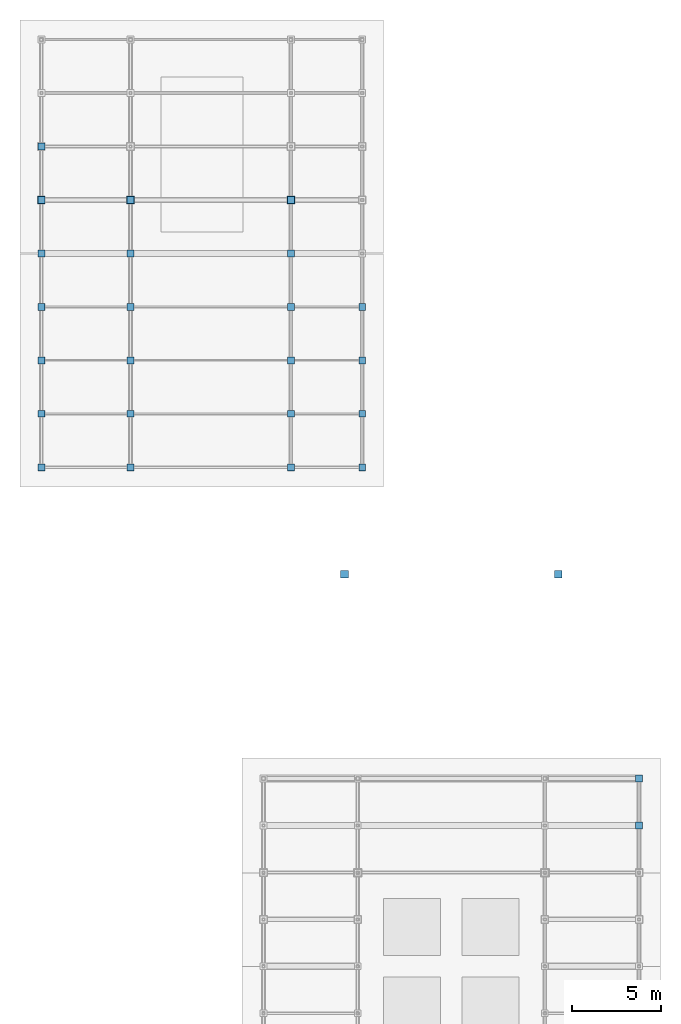
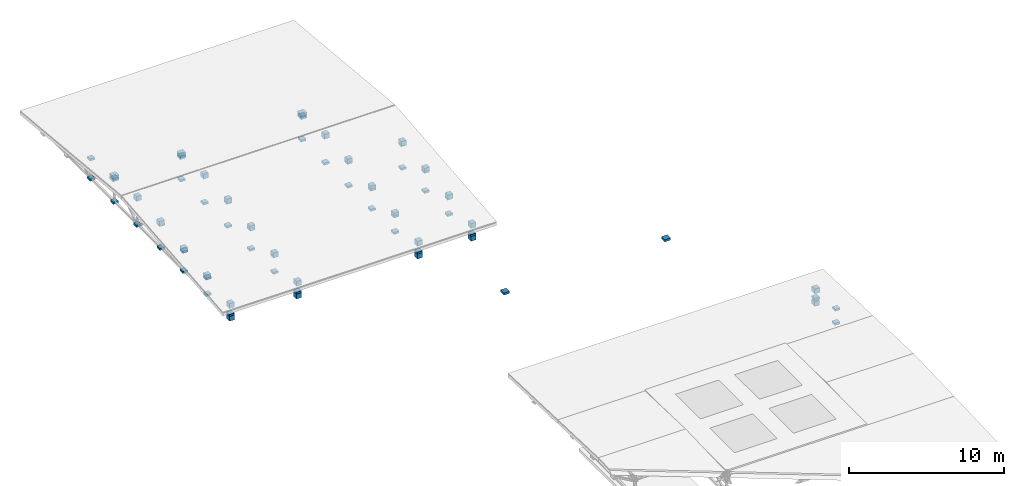
# One storey, part 23 of 25: 72 discrete accessories.
"""IFC4 building model written with IfcOpenShell, lengths in metres."""

from ifc_helpers import new_model, si_unit, direction, frame, origin, place, context, subcontext, project, spatial, polyline, outline, extrude, material, type_object, element, save


model = new_model("IFC4")

# Units and contexts
model_context = context("Model", 3, precision=1e-05, world=origin(), true_north=direction((0.0, 1.0)))
body_context = subcontext(model_context, "Body", "Model", "MODEL_VIEW")
ifc_project = project(units=[si_unit("LENGTHUNIT", "METRE"), si_unit("AREAUNIT", "SQUARE_METRE"), si_unit("VOLUMEUNIT", "CUBIC_METRE"), si_unit("PLANEANGLEUNIT", "RADIAN"), si_unit("MASSUNIT", "GRAM", prefix="KILO"), si_unit("THERMODYNAMICTEMPERATUREUNIT", "KELVIN"), si_unit("POWERUNIT", "WATT")], contexts=[model_context])

# Site, building, storey
site_placement = place(None, origin())
site = spatial("IfcSite", under=ifc_project, at=site_placement, CompositionType="ELEMENT")
building_placement = place(site_placement, origin())
building = spatial("IfcBuilding", under=site, at=building_placement, Name="Zelmaris Science Centre", CompositionType="ELEMENT")
storey_placement = place(building_placement, frame((0.0, 0.0, 30.0)))
storey = spatial("IfcBuildingStorey", under=building, at=storey_placement, Name="RF", CompositionType="ELEMENT", Elevation=30.0)

# Discrete accessories
ifc_material = material(Name="Steel ASTM A500 Grade C", Category="steel")
discrete_accessory_type = type_object("IfcDiscreteAccessoryType", Name="Hollow Section End Cap Plate BK-ECP", PredefinedType="BRACKET", material=ifc_material)
discrete_accessory_1_placement = place(storey_placement, frame((0.0, 0.0, -0.072998046875)))
element("IfcDiscreteAccessory", 1, at=discrete_accessory_1_placement, inside=storey, type_object=discrete_accessory_type, Name="End cap plate 48", PredefinedType="BRACKET", context=body_context, shape_type="SweptSolid", body=[
    extrude(outline(polyline([(74.78076171875, 57.78076171875), (75.21923828125, 57.78076171875), (75.21923828125, 58.21923828125), (74.78076171875, 58.21923828125), (74.78076171875, 57.78076171875)])), origin(), (0.0, 0.0, 1.0), 0.157958984375),
])
discrete_accessory_2_placement = place(storey_placement, frame((0.0, 0.0, -0.072998046875)))
element("IfcDiscreteAccessory", 2, at=discrete_accessory_2_placement, inside=storey, type_object=discrete_accessory_type, Name="End cap plate 56", PredefinedType="BRACKET", context=body_context, shape_type="SweptSolid", body=[
    extrude(outline(polyline([(86.78076171875, 57.78076171875), (87.21923828125, 57.78076171875), (87.21923828125, 58.21923828125), (86.78076171875, 58.21923828125), (86.78076171875, 57.78076171875)])), origin(), (0.0, 0.0, 1.0), 0.157958984375),
])
discrete_accessory_3_placement = place(storey_placement, frame((0.0, 0.0, 0.158203125)))
element("IfcDiscreteAccessory", 3, at=discrete_accessory_3_placement, inside=storey, type_object=discrete_accessory_type, Name="End cap plate 327", PredefinedType="BRACKET", context=body_context, shape_type="SweptSolid", body=[
    extrude(outline(polyline([(57.81103515625, 63.804931640625), (58.18896484375, 63.804931640625), (58.18896484375, 64.18310546875), (57.81103515625, 64.18310546875), (57.81103515625, 63.804931640625)])), origin(), (0.0, 0.0, 1.0), 0.378173828125),
])
discrete_accessory_4_placement = place(storey_placement, frame((0.0, 0.0, 1.156005859375)))
element("IfcDiscreteAccessory", 4, at=discrete_accessory_4_placement, inside=storey, type_object=discrete_accessory_type, Name="End cap plate 329", PredefinedType="BRACKET", context=body_context, shape_type="SweptSolid", body=[
    extrude(outline(polyline([(57.80908203125, 63.80322265625), (58.19091796875, 63.80322265625), (58.19091796875, 64.184814453125), (57.80908203125, 64.184814453125), (57.80908203125, 63.80322265625)])), origin(), (0.0, 0.0, 1.0), 0.381591796875),
])
discrete_accessory_5_placement = place(storey_placement, frame((0.0, 0.0, 2.30712890625)))
element("IfcDiscreteAccessory", 5, at=discrete_accessory_5_placement, inside=storey, type_object=discrete_accessory_type, Name="End cap plate 330", PredefinedType="BRACKET", context=body_context, shape_type="SweptSolid", body=[
    extrude(outline(polyline([(57.80908203125, 75.815185546875), (58.19091796875, 75.815185546875), (58.19091796875, 76.19677734375), (57.80908203125, 76.19677734375), (57.80908203125, 75.815185546875)])), origin(), (0.0, 0.0, 1.0), 0.381591796875),
])
discrete_accessory_6_placement = place(storey_placement, frame((0.0, 0.0, 0.26220703125)))
element("IfcDiscreteAccessory", 6, at=discrete_accessory_6_placement, inside=storey, type_object=discrete_accessory_type, Name="End cap plate 332", PredefinedType="BRACKET", context=body_context, shape_type="SweptSolid", body=[
    extrude(outline(polyline([(57.81103515625, 66.81103515625), (58.18896484375, 66.81103515625), (58.18896484375, 67.18896484375), (57.81103515625, 67.18896484375), (57.81103515625, 66.81103515625)])), origin(), (0.0, 0.0, 1.0), 0.158203125),
])
discrete_accessory_7_placement = place(storey_placement, frame((0.0, 0.0, 1.561767578125)))
element("IfcDiscreteAccessory", 7, at=discrete_accessory_7_placement, inside=storey, type_object=discrete_accessory_type, Name="End cap plate 333", PredefinedType="BRACKET", context=body_context, shape_type="SweptSolid", body=[
    extrude(outline(polyline([(57.81103515625, 66.81103515625), (58.18896484375, 66.81103515625), (58.18896484375, 67.18896484375), (57.81103515625, 67.18896484375), (57.81103515625, 66.81103515625)])), origin(), (0.0, 0.0, 1.0), 0.157958984375),
])
discrete_accessory_8_placement = place(storey_placement, frame((0.0, 0.0, 0.26220703125)))
element("IfcDiscreteAccessory", 8, at=discrete_accessory_8_placement, inside=storey, type_object=discrete_accessory_type, Name="End cap plate 334", PredefinedType="BRACKET", context=body_context, shape_type="SweptSolid", body=[
    extrude(outline(polyline([(57.81103515625, 69.81103515625), (58.18896484375, 69.81103515625), (58.18896484375, 70.18896484375), (57.81103515625, 70.18896484375), (57.81103515625, 69.81103515625)])), origin(), (0.0, 0.0, 1.0), 0.158203125),
])
discrete_accessory_9_placement = place(storey_placement, frame((0.0, 0.0, 1.849365234375)))
element("IfcDiscreteAccessory", 9, at=discrete_accessory_9_placement, inside=storey, type_object=discrete_accessory_type, Name="End cap plate 335", PredefinedType="BRACKET", context=body_context, shape_type="SweptSolid", body=[
    extrude(outline(polyline([(57.81103515625, 69.81103515625), (58.18896484375, 69.81103515625), (58.18896484375, 70.18896484375), (57.81103515625, 70.18896484375), (57.81103515625, 69.81103515625)])), origin(), (0.0, 0.0, 1.0), 0.157958984375),
])
for number, where, name in (
    (10, (0.0, 0.0, 0.26220703125), "End cap plate 336"),
    (11, (0.0, 0.0, 2.13671875), "End cap plate 337"),
):
    element("IfcDiscreteAccessory", number, at=place(storey_placement, frame(where)), inside=storey, type_object=discrete_accessory_type, Name=name, PredefinedType="BRACKET", context=body_context, shape_type="SweptSolid", body=[
        extrude(outline(polyline([(57.81103515625, 72.81103515625), (58.18896484375, 72.81103515625), (58.18896484375, 73.18896484375), (57.81103515625, 73.18896484375), (57.81103515625, 72.81103515625)])), origin(), (0.0, 0.0, 1.0), 0.158203125),
    ])
discrete_accessory_10_placement = place(storey_placement, frame((0.0, 0.0, 0.26220703125)))
element("IfcDiscreteAccessory", 12, at=discrete_accessory_10_placement, inside=storey, type_object=discrete_accessory_type, Name="End cap plate 338", PredefinedType="BRACKET", context=body_context, shape_type="SweptSolid", body=[
    extrude(outline(polyline([(57.81103515625, 75.81103515625), (58.18896484375, 75.81103515625), (58.18896484375, 76.18896484375), (57.81103515625, 76.18896484375), (57.81103515625, 75.81103515625)])), origin(), (0.0, 0.0, 1.0), 0.158203125),
])
for number, where, name in (
    (13, (0.0, 0.0, 0.26220703125), "End cap plate 339"),
    (14, (0.0, 0.0, 2.13671875), "End cap plate 340"),
):
    element("IfcDiscreteAccessory", number, at=place(storey_placement, frame(where)), inside=storey, type_object=discrete_accessory_type, Name=name, PredefinedType="BRACKET", context=body_context, shape_type="SweptSolid", body=[
        extrude(outline(polyline([(57.81103515625, 78.81103515625), (58.18896484375, 78.81103515625), (58.18896484375, 79.18896484375), (57.81103515625, 79.18896484375), (57.81103515625, 78.81103515625)])), origin(), (0.0, 0.0, 1.0), 0.158203125),
    ])
discrete_accessory_11_placement = place(storey_placement, frame((0.0, 0.0, 0.26220703125)))
element("IfcDiscreteAccessory", 15, at=discrete_accessory_11_placement, inside=storey, type_object=discrete_accessory_type, Name="End cap plate 341", PredefinedType="BRACKET", context=body_context, shape_type="SweptSolid", body=[
    extrude(outline(polyline([(57.81103515625, 81.81103515625), (58.18896484375, 81.81103515625), (58.18896484375, 82.18896484375), (57.81103515625, 82.18896484375), (57.81103515625, 81.81103515625)])), origin(), (0.0, 0.0, 1.0), 0.158203125),
])
discrete_accessory_12_placement = place(storey_placement, frame((0.0, 0.0, 1.849365234375)))
element("IfcDiscreteAccessory", 16, at=discrete_accessory_12_placement, inside=storey, type_object=discrete_accessory_type, Name="End cap plate 342", PredefinedType="BRACKET", context=body_context, shape_type="SweptSolid", body=[
    extrude(outline(polyline([(57.81103515625, 81.81103515625), (58.18896484375, 81.81103515625), (58.18896484375, 82.18896484375), (57.81103515625, 82.18896484375), (57.81103515625, 81.81103515625)])), origin(), (0.0, 0.0, 1.0), 0.157958984375),
])
discrete_accessory_13_placement = place(storey_placement, frame((0.0, 0.0, 0.514892578125)))
element("IfcDiscreteAccessory", 17, at=discrete_accessory_13_placement, inside=storey, type_object=discrete_accessory_type, Name="End cap plate 345", PredefinedType="BRACKET", context=body_context, shape_type="SweptSolid", body=[
    extrude(outline(polyline([(57.80908203125, 63.80908203125), (58.19091796875, 63.80908203125), (58.19091796875, 64.19091796875), (57.80908203125, 64.19091796875), (57.80908203125, 63.80908203125)])), origin(), (0.0, 0.0, 1.0), 0.158203125),
])
discrete_accessory_14_placement = place(storey_placement, frame((0.0, 0.0, 0.158203125)))
element("IfcDiscreteAccessory", 18, at=discrete_accessory_14_placement, inside=storey, type_object=discrete_accessory_type, Name="End cap plate 347", PredefinedType="BRACKET", context=body_context, shape_type="SweptSolid", body=[
    extrude(outline(polyline([(62.81103515625, 63.804931640625), (63.18896484375, 63.804931640625), (63.18896484375, 64.18310546875), (62.81103515625, 64.18310546875), (62.81103515625, 63.804931640625)])), origin(), (0.0, 0.0, 1.0), 0.378173828125),
])
discrete_accessory_15_placement = place(storey_placement, frame((0.0, 0.0, 1.156005859375)))
element("IfcDiscreteAccessory", 19, at=discrete_accessory_15_placement, inside=storey, type_object=discrete_accessory_type, Name="End cap plate 349", PredefinedType="BRACKET", context=body_context, shape_type="SweptSolid", body=[
    extrude(outline(polyline([(62.80908203125, 63.80322265625), (63.19091796875, 63.80322265625), (63.19091796875, 64.184814453125), (62.80908203125, 64.184814453125), (62.80908203125, 63.80322265625)])), origin(), (0.0, 0.0, 1.0), 0.381591796875),
])
discrete_accessory_16_placement = place(storey_placement, frame((0.0, 0.0, 2.30712890625)))
element("IfcDiscreteAccessory", 20, at=discrete_accessory_16_placement, inside=storey, type_object=discrete_accessory_type, Name="End cap plate 350", PredefinedType="BRACKET", context=body_context, shape_type="SweptSolid", body=[
    extrude(outline(polyline([(62.80908203125, 75.815185546875), (63.19091796875, 75.815185546875), (63.19091796875, 76.19677734375), (62.80908203125, 76.19677734375), (62.80908203125, 75.815185546875)])), origin(), (0.0, 0.0, 1.0), 0.381591796875),
])
discrete_accessory_17_placement = place(storey_placement, frame((0.0, 0.0, 0.26220703125)))
element("IfcDiscreteAccessory", 21, at=discrete_accessory_17_placement, inside=storey, type_object=discrete_accessory_type, Name="End cap plate 352", PredefinedType="BRACKET", context=body_context, shape_type="SweptSolid", body=[
    extrude(outline(polyline([(62.81103515625, 66.81103515625), (63.18896484375, 66.81103515625), (63.18896484375, 67.18896484375), (62.81103515625, 67.18896484375), (62.81103515625, 66.81103515625)])), origin(), (0.0, 0.0, 1.0), 0.158203125),
])
discrete_accessory_18_placement = place(storey_placement, frame((0.0, 0.0, 1.561767578125)))
element("IfcDiscreteAccessory", 22, at=discrete_accessory_18_placement, inside=storey, type_object=discrete_accessory_type, Name="End cap plate 353", PredefinedType="BRACKET", context=body_context, shape_type="SweptSolid", body=[
    extrude(outline(polyline([(62.81103515625, 66.81103515625), (63.18896484375, 66.81103515625), (63.18896484375, 67.18896484375), (62.81103515625, 67.18896484375), (62.81103515625, 66.81103515625)])), origin(), (0.0, 0.0, 1.0), 0.157958984375),
])
discrete_accessory_19_placement = place(storey_placement, frame((0.0, 0.0, 0.26220703125)))
element("IfcDiscreteAccessory", 23, at=discrete_accessory_19_placement, inside=storey, type_object=discrete_accessory_type, Name="End cap plate 354", PredefinedType="BRACKET", context=body_context, shape_type="SweptSolid", body=[
    extrude(outline(polyline([(62.81103515625, 69.81103515625), (63.18896484375, 69.81103515625), (63.18896484375, 70.18896484375), (62.81103515625, 70.18896484375), (62.81103515625, 69.81103515625)])), origin(), (0.0, 0.0, 1.0), 0.158203125),
])
discrete_accessory_20_placement = place(storey_placement, frame((0.0, 0.0, 1.849365234375)))
element("IfcDiscreteAccessory", 24, at=discrete_accessory_20_placement, inside=storey, type_object=discrete_accessory_type, Name="End cap plate 355", PredefinedType="BRACKET", context=body_context, shape_type="SweptSolid", body=[
    extrude(outline(polyline([(62.81103515625, 69.81103515625), (63.18896484375, 69.81103515625), (63.18896484375, 70.18896484375), (62.81103515625, 70.18896484375), (62.81103515625, 69.81103515625)])), origin(), (0.0, 0.0, 1.0), 0.157958984375),
])
for number, where, name in (
    (25, (0.0, 0.0, 0.26220703125), "End cap plate 356"),
    (26, (0.0, 0.0, 2.13671875), "End cap plate 357"),
):
    element("IfcDiscreteAccessory", number, at=place(storey_placement, frame(where)), inside=storey, type_object=discrete_accessory_type, Name=name, PredefinedType="BRACKET", context=body_context, shape_type="SweptSolid", body=[
        extrude(outline(polyline([(62.81103515625, 72.81103515625), (63.18896484375, 72.81103515625), (63.18896484375, 73.18896484375), (62.81103515625, 73.18896484375), (62.81103515625, 72.81103515625)])), origin(), (0.0, 0.0, 1.0), 0.158203125),
    ])
discrete_accessory_21_placement = place(storey_placement, frame((0.0, 0.0, 0.26220703125)))
element("IfcDiscreteAccessory", 27, at=discrete_accessory_21_placement, inside=storey, type_object=discrete_accessory_type, Name="End cap plate 358", PredefinedType="BRACKET", context=body_context, shape_type="SweptSolid", body=[
    extrude(outline(polyline([(62.81103515625, 75.81103515625), (63.18896484375, 75.81103515625), (63.18896484375, 76.18896484375), (62.81103515625, 76.18896484375), (62.81103515625, 75.81103515625)])), origin(), (0.0, 0.0, 1.0), 0.158203125),
])
for number, where, name in (
    (28, (0.0, 0.0, 0.26220703125), "End cap plate 359"),
    (29, (0.0, 0.0, 2.13671875), "End cap plate 360"),
):
    element("IfcDiscreteAccessory", number, at=place(storey_placement, frame(where)), inside=storey, type_object=discrete_accessory_type, Name=name, PredefinedType="BRACKET", context=body_context, shape_type="SweptSolid", body=[
        extrude(outline(polyline([(62.81103515625, 78.81103515625), (63.18896484375, 78.81103515625), (63.18896484375, 79.18896484375), (62.81103515625, 79.18896484375), (62.81103515625, 78.81103515625)])), origin(), (0.0, 0.0, 1.0), 0.158203125),
    ])
discrete_accessory_22_placement = place(storey_placement, frame((0.0, 0.0, 0.514892578125)))
element("IfcDiscreteAccessory", 30, at=discrete_accessory_22_placement, inside=storey, type_object=discrete_accessory_type, Name="End cap plate 365", PredefinedType="BRACKET", context=body_context, shape_type="SweptSolid", body=[
    extrude(outline(polyline([(62.80908203125, 63.80908203125), (63.19091796875, 63.80908203125), (63.19091796875, 64.19091796875), (62.80908203125, 64.19091796875), (62.80908203125, 63.80908203125)])), origin(), (0.0, 0.0, 1.0), 0.158203125),
])
discrete_accessory_23_placement = place(storey_placement, frame((0.0, 0.0, 0.158203125)))
element("IfcDiscreteAccessory", 31, at=discrete_accessory_23_placement, inside=storey, type_object=discrete_accessory_type, Name="End cap plate 367", PredefinedType="BRACKET", context=body_context, shape_type="SweptSolid", body=[
    extrude(outline(polyline([(71.81103515625, 63.804931640625), (72.18896484375, 63.804931640625), (72.18896484375, 64.18310546875), (71.81103515625, 64.18310546875), (71.81103515625, 63.804931640625)])), origin(), (0.0, 0.0, 1.0), 0.378173828125),
])
discrete_accessory_24_placement = place(storey_placement, frame((0.0, 0.0, 1.156005859375)))
element("IfcDiscreteAccessory", 32, at=discrete_accessory_24_placement, inside=storey, type_object=discrete_accessory_type, Name="End cap plate 369", PredefinedType="BRACKET", context=body_context, shape_type="SweptSolid", body=[
    extrude(outline(polyline([(71.80908203125, 63.80322265625), (72.19091796875, 63.80322265625), (72.19091796875, 64.184814453125), (71.80908203125, 64.184814453125), (71.80908203125, 63.80322265625)])), origin(), (0.0, 0.0, 1.0), 0.381591796875),
])
discrete_accessory_25_placement = place(storey_placement, frame((0.0, 0.0, 2.30712890625)))
element("IfcDiscreteAccessory", 33, at=discrete_accessory_25_placement, inside=storey, type_object=discrete_accessory_type, Name="End cap plate 370", PredefinedType="BRACKET", context=body_context, shape_type="SweptSolid", body=[
    extrude(outline(polyline([(71.80908203125, 75.815185546875), (72.19091796875, 75.815185546875), (72.19091796875, 76.19677734375), (71.80908203125, 76.19677734375), (71.80908203125, 75.815185546875)])), origin(), (0.0, 0.0, 1.0), 0.381591796875),
])
discrete_accessory_26_placement = place(storey_placement, frame((0.0, 0.0, 0.26220703125)))
element("IfcDiscreteAccessory", 34, at=discrete_accessory_26_placement, inside=storey, type_object=discrete_accessory_type, Name="End cap plate 372", PredefinedType="BRACKET", context=body_context, shape_type="SweptSolid", body=[
    extrude(outline(polyline([(71.81103515625, 66.81103515625), (72.18896484375, 66.81103515625), (72.18896484375, 67.18896484375), (71.81103515625, 67.18896484375), (71.81103515625, 66.81103515625)])), origin(), (0.0, 0.0, 1.0), 0.158203125),
])
discrete_accessory_27_placement = place(storey_placement, frame((0.0, 0.0, 1.561767578125)))
element("IfcDiscreteAccessory", 35, at=discrete_accessory_27_placement, inside=storey, type_object=discrete_accessory_type, Name="End cap plate 373", PredefinedType="BRACKET", context=body_context, shape_type="SweptSolid", body=[
    extrude(outline(polyline([(71.81103515625, 66.81103515625), (72.18896484375, 66.81103515625), (72.18896484375, 67.18896484375), (71.81103515625, 67.18896484375), (71.81103515625, 66.81103515625)])), origin(), (0.0, 0.0, 1.0), 0.157958984375),
])
discrete_accessory_28_placement = place(storey_placement, frame((0.0, 0.0, 0.26220703125)))
element("IfcDiscreteAccessory", 36, at=discrete_accessory_28_placement, inside=storey, type_object=discrete_accessory_type, Name="End cap plate 374", PredefinedType="BRACKET", context=body_context, shape_type="SweptSolid", body=[
    extrude(outline(polyline([(71.81103515625, 69.81103515625), (72.18896484375, 69.81103515625), (72.18896484375, 70.18896484375), (71.81103515625, 70.18896484375), (71.81103515625, 69.81103515625)])), origin(), (0.0, 0.0, 1.0), 0.158203125),
])
discrete_accessory_29_placement = place(storey_placement, frame((0.0, 0.0, 1.849365234375)))
element("IfcDiscreteAccessory", 37, at=discrete_accessory_29_placement, inside=storey, type_object=discrete_accessory_type, Name="End cap plate 375", PredefinedType="BRACKET", context=body_context, shape_type="SweptSolid", body=[
    extrude(outline(polyline([(71.81103515625, 69.81103515625), (72.18896484375, 69.81103515625), (72.18896484375, 70.18896484375), (71.81103515625, 70.18896484375), (71.81103515625, 69.81103515625)])), origin(), (0.0, 0.0, 1.0), 0.157958984375),
])
for number, where, name in (
    (38, (0.0, 0.0, 0.26220703125), "End cap plate 376"),
    (39, (0.0, 0.0, 2.13671875), "End cap plate 377"),
):
    element("IfcDiscreteAccessory", number, at=place(storey_placement, frame(where)), inside=storey, type_object=discrete_accessory_type, Name=name, PredefinedType="BRACKET", context=body_context, shape_type="SweptSolid", body=[
        extrude(outline(polyline([(71.81103515625, 72.81103515625), (72.18896484375, 72.81103515625), (72.18896484375, 73.18896484375), (71.81103515625, 73.18896484375), (71.81103515625, 72.81103515625)])), origin(), (0.0, 0.0, 1.0), 0.158203125),
    ])
discrete_accessory_30_placement = place(storey_placement, frame((0.0, 0.0, 0.26220703125)))
element("IfcDiscreteAccessory", 40, at=discrete_accessory_30_placement, inside=storey, type_object=discrete_accessory_type, Name="End cap plate 378", PredefinedType="BRACKET", context=body_context, shape_type="SweptSolid", body=[
    extrude(outline(polyline([(71.81103515625, 75.81103515625), (72.18896484375, 75.81103515625), (72.18896484375, 76.18896484375), (71.81103515625, 76.18896484375), (71.81103515625, 75.81103515625)])), origin(), (0.0, 0.0, 1.0), 0.158203125),
])
for number, where, name in (
    (41, (0.0, 0.0, 0.26220703125), "End cap plate 379"),
    (42, (0.0, 0.0, 2.13671875), "End cap plate 380"),
):
    element("IfcDiscreteAccessory", number, at=place(storey_placement, frame(where)), inside=storey, type_object=discrete_accessory_type, Name=name, PredefinedType="BRACKET", context=body_context, shape_type="SweptSolid", body=[
        extrude(outline(polyline([(71.81103515625, 78.81103515625), (72.18896484375, 78.81103515625), (72.18896484375, 79.18896484375), (71.81103515625, 79.18896484375), (71.81103515625, 78.81103515625)])), origin(), (0.0, 0.0, 1.0), 0.158203125),
    ])
discrete_accessory_31_placement = place(storey_placement, frame((0.0, 0.0, 0.514892578125)))
element("IfcDiscreteAccessory", 43, at=discrete_accessory_31_placement, inside=storey, type_object=discrete_accessory_type, Name="End cap plate 385", PredefinedType="BRACKET", context=body_context, shape_type="SweptSolid", body=[
    extrude(outline(polyline([(71.80908203125, 63.80908203125), (72.19091796875, 63.80908203125), (72.19091796875, 64.19091796875), (71.80908203125, 64.19091796875), (71.80908203125, 63.80908203125)])), origin(), (0.0, 0.0, 1.0), 0.158203125),
])
discrete_accessory_32_placement = place(storey_placement, frame((0.0, 0.0, 0.158203125)))
element("IfcDiscreteAccessory", 44, at=discrete_accessory_32_placement, inside=storey, type_object=discrete_accessory_type, Name="End cap plate 387", PredefinedType="BRACKET", context=body_context, shape_type="SweptSolid", body=[
    extrude(outline(polyline([(75.81103515625, 63.804931640625), (76.18896484375, 63.804931640625), (76.18896484375, 64.18310546875), (75.81103515625, 64.18310546875), (75.81103515625, 63.804931640625)])), origin(), (0.0, 0.0, 1.0), 0.378173828125),
])
discrete_accessory_33_placement = place(storey_placement, frame((0.0, 0.0, 1.156005859375)))
element("IfcDiscreteAccessory", 45, at=discrete_accessory_33_placement, inside=storey, type_object=discrete_accessory_type, Name="End cap plate 389", PredefinedType="BRACKET", context=body_context, shape_type="SweptSolid", body=[
    extrude(outline(polyline([(75.80908203125, 63.80322265625), (76.19091796875, 63.80322265625), (76.19091796875, 64.184814453125), (75.80908203125, 64.184814453125), (75.80908203125, 63.80322265625)])), origin(), (0.0, 0.0, 1.0), 0.381591796875),
])
discrete_accessory_34_placement = place(storey_placement, frame((0.0, 0.0, 0.26220703125)))
element("IfcDiscreteAccessory", 46, at=discrete_accessory_34_placement, inside=storey, type_object=discrete_accessory_type, Name="End cap plate 392", PredefinedType="BRACKET", context=body_context, shape_type="SweptSolid", body=[
    extrude(outline(polyline([(75.81103515625, 66.81103515625), (76.18896484375, 66.81103515625), (76.18896484375, 67.18896484375), (75.81103515625, 67.18896484375), (75.81103515625, 66.81103515625)])), origin(), (0.0, 0.0, 1.0), 0.158203125),
])
discrete_accessory_35_placement = place(storey_placement, frame((0.0, 0.0, 1.561767578125)))
element("IfcDiscreteAccessory", 47, at=discrete_accessory_35_placement, inside=storey, type_object=discrete_accessory_type, Name="End cap plate 393", PredefinedType="BRACKET", context=body_context, shape_type="SweptSolid", body=[
    extrude(outline(polyline([(75.81103515625, 66.81103515625), (76.18896484375, 66.81103515625), (76.18896484375, 67.18896484375), (75.81103515625, 67.18896484375), (75.81103515625, 66.81103515625)])), origin(), (0.0, 0.0, 1.0), 0.157958984375),
])
discrete_accessory_36_placement = place(storey_placement, frame((0.0, 0.0, 0.26220703125)))
element("IfcDiscreteAccessory", 48, at=discrete_accessory_36_placement, inside=storey, type_object=discrete_accessory_type, Name="End cap plate 394", PredefinedType="BRACKET", context=body_context, shape_type="SweptSolid", body=[
    extrude(outline(polyline([(75.81103515625, 69.81103515625), (76.18896484375, 69.81103515625), (76.18896484375, 70.18896484375), (75.81103515625, 70.18896484375), (75.81103515625, 69.81103515625)])), origin(), (0.0, 0.0, 1.0), 0.158203125),
])
discrete_accessory_37_placement = place(storey_placement, frame((0.0, 0.0, 1.849365234375)))
element("IfcDiscreteAccessory", 49, at=discrete_accessory_37_placement, inside=storey, type_object=discrete_accessory_type, Name="End cap plate 395", PredefinedType="BRACKET", context=body_context, shape_type="SweptSolid", body=[
    extrude(outline(polyline([(75.81103515625, 69.81103515625), (76.18896484375, 69.81103515625), (76.18896484375, 70.18896484375), (75.81103515625, 70.18896484375), (75.81103515625, 69.81103515625)])), origin(), (0.0, 0.0, 1.0), 0.157958984375),
])
for number, where, name in (
    (50, (0.0, 0.0, 0.26220703125), "End cap plate 396"),
    (51, (0.0, 0.0, 2.13671875), "End cap plate 397"),
):
    element("IfcDiscreteAccessory", number, at=place(storey_placement, frame(where)), inside=storey, type_object=discrete_accessory_type, Name=name, PredefinedType="BRACKET", context=body_context, shape_type="SweptSolid", body=[
        extrude(outline(polyline([(75.81103515625, 72.81103515625), (76.18896484375, 72.81103515625), (76.18896484375, 73.18896484375), (75.81103515625, 73.18896484375), (75.81103515625, 72.81103515625)])), origin(), (0.0, 0.0, 1.0), 0.158203125),
    ])
discrete_accessory_38_placement = place(storey_placement, frame((0.0, 0.0, 0.514892578125)))
element("IfcDiscreteAccessory", 52, at=discrete_accessory_38_placement, inside=storey, type_object=discrete_accessory_type, Name="End cap plate 405", PredefinedType="BRACKET", context=body_context, shape_type="SweptSolid", body=[
    extrude(outline(polyline([(75.80908203125, 63.80908203125), (76.19091796875, 63.80908203125), (76.19091796875, 64.19091796875), (75.80908203125, 64.19091796875), (75.80908203125, 63.80908203125)])), origin(), (0.0, 0.0, 1.0), 0.158203125),
])
discrete_accessory_39_placement = place(storey_placement, frame((0.0, 0.0, 1.566162109375)))
element("IfcDiscreteAccessory", 53, at=discrete_accessory_39_placement, inside=storey, type_object=discrete_accessory_type, Name="End cap plate 407", PredefinedType="BRACKET", context=body_context, shape_type="SweptSolid", body=[
    extrude(outline(polyline([(57.804931640625, 66.81103515625), (58.18310546875, 66.81103515625), (58.18310546875, 67.18896484375), (57.804931640625, 67.18896484375), (57.804931640625, 66.81103515625)])), origin(), (0.0, 0.0, 1.0), 0.3779296875),
])
discrete_accessory_40_placement = place(storey_placement, frame((0.0, 0.0, 1.566162109375)))
element("IfcDiscreteAccessory", 54, at=discrete_accessory_40_placement, inside=storey, type_object=discrete_accessory_type, Name="End cap plate 408", PredefinedType="BRACKET", context=body_context, shape_type="SweptSolid", body=[
    extrude(outline(polyline([(62.81689453125, 66.81103515625), (63.195068359375, 66.81103515625), (63.195068359375, 67.18896484375), (62.81689453125, 67.18896484375), (62.81689453125, 66.81103515625)])), origin(), (0.0, 0.0, 1.0), 0.3779296875),
])
discrete_accessory_41_placement = place(storey_placement, frame((0.0, 0.0, 1.866455078125)))
element("IfcDiscreteAccessory", 55, at=discrete_accessory_41_placement, inside=storey, type_object=discrete_accessory_type, Name="End cap plate 409", PredefinedType="BRACKET", context=body_context, shape_type="SweptSolid", body=[
    extrude(outline(polyline([(57.804931640625, 69.81103515625), (58.18310546875, 69.81103515625), (58.18310546875, 70.18896484375), (57.804931640625, 70.18896484375), (57.804931640625, 69.81103515625)])), origin(), (0.0, 0.0, 1.0), 0.3779296875),
])
discrete_accessory_42_placement = place(storey_placement, frame((0.0, 0.0, 1.866455078125)))
element("IfcDiscreteAccessory", 56, at=discrete_accessory_42_placement, inside=storey, type_object=discrete_accessory_type, Name="End cap plate 410", PredefinedType="BRACKET", context=body_context, shape_type="SweptSolid", body=[
    extrude(outline(polyline([(62.81689453125, 69.81103515625), (63.195068359375, 69.81103515625), (63.195068359375, 70.18896484375), (62.81689453125, 70.18896484375), (62.81689453125, 69.81103515625)])), origin(), (0.0, 0.0, 1.0), 0.3779296875),
])
discrete_accessory_43_placement = place(storey_placement, frame((0.0, 0.0, 2.16650390625)))
element("IfcDiscreteAccessory", 57, at=discrete_accessory_43_placement, inside=storey, type_object=discrete_accessory_type, Name="End cap plate 411", PredefinedType="BRACKET", context=body_context, shape_type="SweptSolid", body=[
    extrude(outline(polyline([(57.804931640625, 72.81103515625), (58.18310546875, 72.81103515625), (58.18310546875, 73.18896484375), (57.804931640625, 73.18896484375), (57.804931640625, 72.81103515625)])), origin(), (0.0, 0.0, 1.0), 0.378173828125),
])
discrete_accessory_44_placement = place(storey_placement, frame((0.0, 0.0, 2.16650390625)))
element("IfcDiscreteAccessory", 58, at=discrete_accessory_44_placement, inside=storey, type_object=discrete_accessory_type, Name="End cap plate 412", PredefinedType="BRACKET", context=body_context, shape_type="SweptSolid", body=[
    extrude(outline(polyline([(62.81689453125, 72.81103515625), (63.195068359375, 72.81103515625), (63.195068359375, 73.18896484375), (62.81689453125, 73.18896484375), (62.81689453125, 72.81103515625)])), origin(), (0.0, 0.0, 1.0), 0.378173828125),
])
discrete_accessory_45_placement = place(storey_placement, frame((0.0, 0.0, 2.060302734375)))
element("IfcDiscreteAccessory", 59, at=discrete_accessory_45_placement, inside=storey, type_object=discrete_accessory_type, Name="End cap plate 413", PredefinedType="BRACKET", context=body_context, shape_type="SweptSolid", body=[
    extrude(outline(polyline([(57.77490234375, 78.78076171875), (58.213134765625, 78.78076171875), (58.213134765625, 79.21923828125), (57.77490234375, 79.21923828125), (57.77490234375, 78.78076171875)])), origin(), (0.0, 0.0, 1.0), 0.438232421875),
])
discrete_accessory_46_placement = place(storey_placement, frame((0.0, 0.0, 2.060302734375)))
element("IfcDiscreteAccessory", 60, at=discrete_accessory_46_placement, inside=storey, type_object=discrete_accessory_type, Name="End cap plate 414", PredefinedType="BRACKET", context=body_context, shape_type="SweptSolid", body=[
    extrude(outline(polyline([(62.786865234375, 78.78076171875), (63.22509765625, 78.78076171875), (63.22509765625, 79.21923828125), (62.786865234375, 79.21923828125), (62.786865234375, 78.78076171875)])), origin(), (0.0, 0.0, 1.0), 0.438232421875),
])
discrete_accessory_47_placement = place(storey_placement, frame((0.0, 0.0, 1.566162109375)))
element("IfcDiscreteAccessory", 61, at=discrete_accessory_47_placement, inside=storey, type_object=discrete_accessory_type, Name="End cap plate 419", PredefinedType="BRACKET", context=body_context, shape_type="SweptSolid", body=[
    extrude(outline(polyline([(71.81689453125, 66.81103515625), (72.195068359375, 66.81103515625), (72.195068359375, 67.18896484375), (71.81689453125, 67.18896484375), (71.81689453125, 66.81103515625)])), origin(), (0.0, 0.0, 1.0), 0.3779296875),
])
discrete_accessory_48_placement = place(storey_placement, frame((0.0, 0.0, 1.866455078125)))
element("IfcDiscreteAccessory", 62, at=discrete_accessory_48_placement, inside=storey, type_object=discrete_accessory_type, Name="End cap plate 420", PredefinedType="BRACKET", context=body_context, shape_type="SweptSolid", body=[
    extrude(outline(polyline([(71.81689453125, 69.81103515625), (72.195068359375, 69.81103515625), (72.195068359375, 70.18896484375), (71.81689453125, 70.18896484375), (71.81689453125, 69.81103515625)])), origin(), (0.0, 0.0, 1.0), 0.3779296875),
])
discrete_accessory_49_placement = place(storey_placement, frame((0.0, 0.0, 2.16650390625)))
element("IfcDiscreteAccessory", 63, at=discrete_accessory_49_placement, inside=storey, type_object=discrete_accessory_type, Name="End cap plate 421", PredefinedType="BRACKET", context=body_context, shape_type="SweptSolid", body=[
    extrude(outline(polyline([(71.81689453125, 72.81103515625), (72.195068359375, 72.81103515625), (72.195068359375, 73.18896484375), (71.81689453125, 73.18896484375), (71.81689453125, 72.81103515625)])), origin(), (0.0, 0.0, 1.0), 0.378173828125),
])
discrete_accessory_50_placement = place(storey_placement, frame((0.0, 0.0, 2.060302734375)))
element("IfcDiscreteAccessory", 64, at=discrete_accessory_50_placement, inside=storey, type_object=discrete_accessory_type, Name="End cap plate 422", PredefinedType="BRACKET", context=body_context, shape_type="SweptSolid", body=[
    extrude(outline(polyline([(71.786865234375, 78.78076171875), (72.22509765625, 78.78076171875), (72.22509765625, 79.21923828125), (71.786865234375, 79.21923828125), (71.786865234375, 78.78076171875)])), origin(), (0.0, 0.0, 1.0), 0.438232421875),
])
discrete_accessory_51_placement = place(storey_placement, frame((0.0, 0.0, 1.566162109375)))
element("IfcDiscreteAccessory", 65, at=discrete_accessory_51_placement, inside=storey, type_object=discrete_accessory_type, Name="End cap plate 425", PredefinedType="BRACKET", context=body_context, shape_type="SweptSolid", body=[
    extrude(outline(polyline([(75.81689453125, 66.81103515625), (76.195068359375, 66.81103515625), (76.195068359375, 67.18896484375), (75.81689453125, 67.18896484375), (75.81689453125, 66.81103515625)])), origin(), (0.0, 0.0, 1.0), 0.3779296875),
])
discrete_accessory_52_placement = place(storey_placement, frame((0.0, 0.0, 1.866455078125)))
element("IfcDiscreteAccessory", 66, at=discrete_accessory_52_placement, inside=storey, type_object=discrete_accessory_type, Name="End cap plate 426", PredefinedType="BRACKET", context=body_context, shape_type="SweptSolid", body=[
    extrude(outline(polyline([(75.81689453125, 69.81103515625), (76.195068359375, 69.81103515625), (76.195068359375, 70.18896484375), (75.81689453125, 70.18896484375), (75.81689453125, 69.81103515625)])), origin(), (0.0, 0.0, 1.0), 0.3779296875),
])
discrete_accessory_53_placement = place(storey_placement, frame((0.0, 0.0, 2.16650390625)))
element("IfcDiscreteAccessory", 67, at=discrete_accessory_53_placement, inside=storey, type_object=discrete_accessory_type, Name="End cap plate 427", PredefinedType="BRACKET", context=body_context, shape_type="SweptSolid", body=[
    extrude(outline(polyline([(75.81689453125, 72.81103515625), (76.195068359375, 72.81103515625), (76.195068359375, 73.18896484375), (75.81689453125, 73.18896484375), (75.81689453125, 72.81103515625)])), origin(), (0.0, 0.0, 1.0), 0.378173828125),
])
discrete_accessory_54_placement = place(storey_placement, frame((0.0, 0.0, 0.1591796875)))
element("IfcDiscreteAccessory", 68, at=discrete_accessory_54_placement, inside=storey, type_object=discrete_accessory_type, Name="End cap plate 492", PredefinedType="BRACKET", context=body_context, shape_type="SweptSolid", body=[
    extrude(outline(polyline([(91.346923828125, 46.352783203125), (91.724853515625, 46.352783203125), (91.724853515625, 46.73095703125), (91.346923828125, 46.73095703125), (91.346923828125, 46.352783203125)])), origin(), (0.0, 0.0, 1.0), 0.3779296875),
])
discrete_accessory_55_placement = place(storey_placement, frame((0.0, 0.0, 1.1572265625)))
element("IfcDiscreteAccessory", 69, at=discrete_accessory_55_placement, inside=storey, type_object=discrete_accessory_type, Name="End cap plate 495", PredefinedType="BRACKET", context=body_context, shape_type="SweptSolid", body=[
    extrude(outline(polyline([(91.34521484375, 46.35107421875), (91.726806640625, 46.35107421875), (91.726806640625, 46.732666015625), (91.34521484375, 46.732666015625), (91.34521484375, 46.35107421875)])), origin(), (0.0, 0.0, 1.0), 0.381591796875),
])
discrete_accessory_56_placement = place(storey_placement, frame((0.0, 0.0, 0.26318359375)))
element("IfcDiscreteAccessory", 70, at=discrete_accessory_56_placement, inside=storey, type_object=discrete_accessory_type, Name="End cap plate 507", PredefinedType="BRACKET", context=body_context, shape_type="SweptSolid", body=[
    extrude(outline(polyline([(91.346923828125, 43.712890625), (91.724853515625, 43.712890625), (91.724853515625, 44.0908203125), (91.346923828125, 44.0908203125), (91.346923828125, 43.712890625)])), origin(), (0.0, 0.0, 1.0), 0.157958984375),
])
discrete_accessory_57_placement = place(storey_placement, frame((0.0, 0.0, 1.3701171875)))
element("IfcDiscreteAccessory", 71, at=discrete_accessory_57_placement, inside=storey, type_object=discrete_accessory_type, Name="End cap plate 508", PredefinedType="BRACKET", context=body_context, shape_type="SweptSolid", body=[
    extrude(outline(polyline([(91.346923828125, 43.712890625), (91.724853515625, 43.712890625), (91.724853515625, 44.0908203125), (91.346923828125, 44.0908203125), (91.346923828125, 43.712890625)])), origin(), (0.0, 0.0, 1.0), 0.158203125),
])
discrete_accessory_58_placement = place(storey_placement, frame((0.0, 0.0, 0.64501953125)))
element("IfcDiscreteAccessory", 72, at=discrete_accessory_58_placement, inside=storey, type_object=discrete_accessory_type, Name="End cap plate 510", PredefinedType="BRACKET", context=body_context, shape_type="SweptSolid", body=[
    extrude(outline(polyline([(91.34521484375, 46.34521484375), (91.726806640625, 46.34521484375), (91.726806640625, 46.726806640625), (91.34521484375, 46.726806640625), (91.34521484375, 46.34521484375)])), origin(), (0.0, 0.0, 1.0), 0.157958984375),
])

save(model, "model.ifc")
